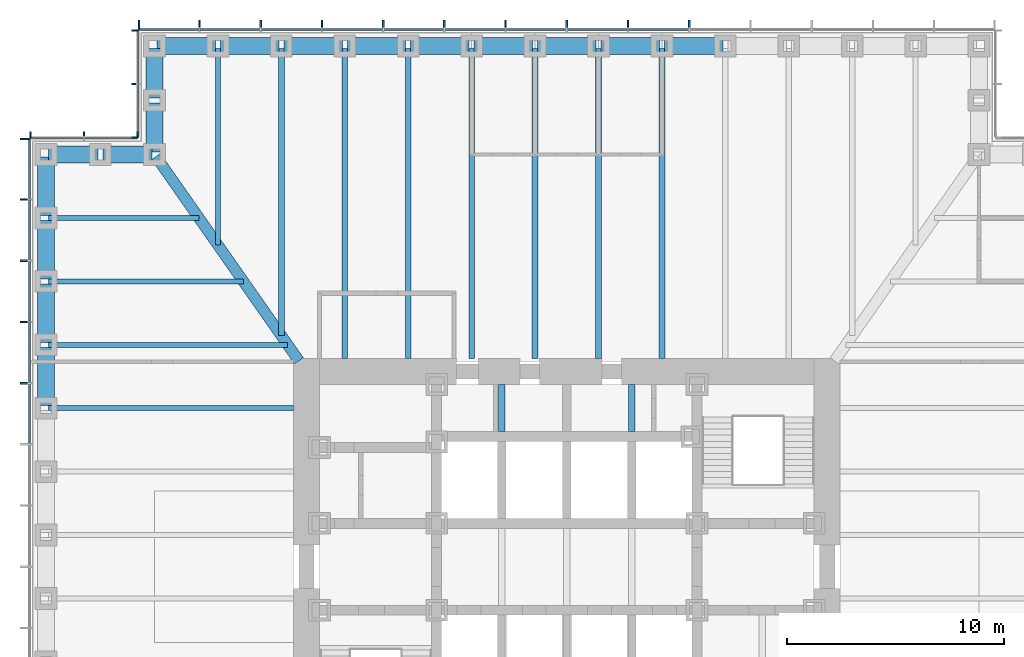
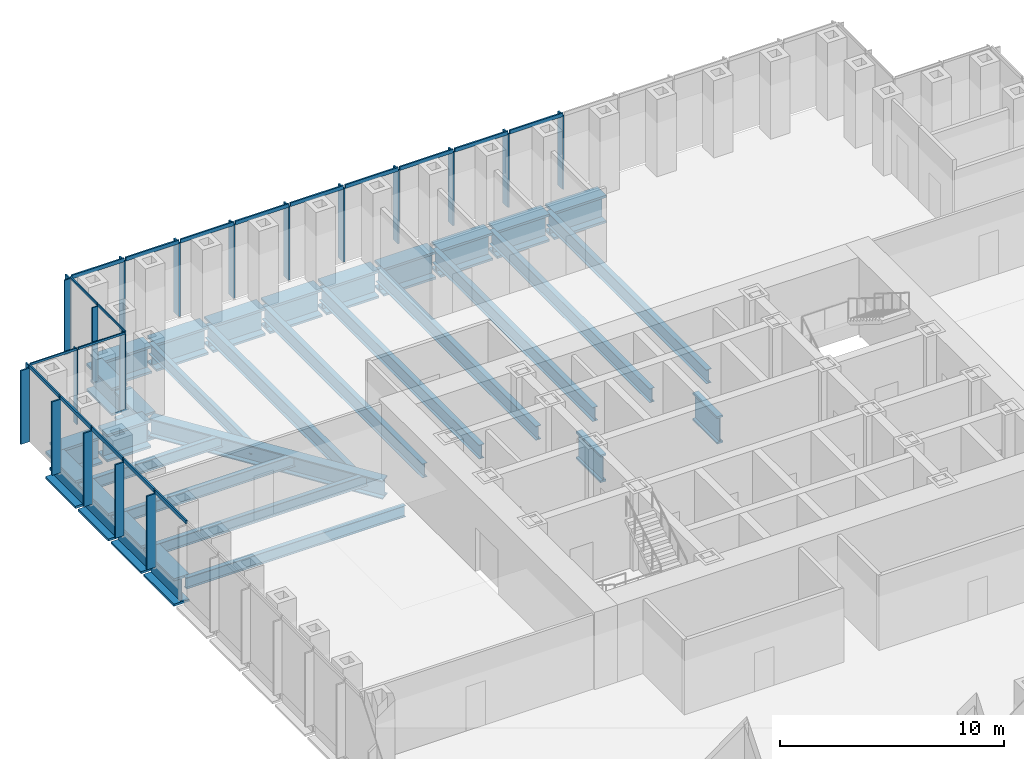
# One storey, part 5 of 16: 39 members, 32 beams, 4 elements without a shape of their own.
"""IFC4 building model written with IfcOpenShell, lengths in metres."""

from ifc_helpers import new_model, si_unit, direction, frame, origin, origin_2d, place, context, subcontext, project, spatial, rectangle, i_section, extrude, material, material_profile, profile_set, type_object, element, aggregate, save


model = new_model("IFC4")

# Units and contexts
model_context = context("Model", 3, precision=1e-05, world=origin(), true_north=direction((0.0, 1.0)))
body_context = subcontext(model_context, "Body", "Model", "MODEL_VIEW")
ifc_project = project(units=[si_unit("LENGTHUNIT", "METRE"), si_unit("AREAUNIT", "SQUARE_METRE"), si_unit("VOLUMEUNIT", "CUBIC_METRE"), si_unit("PLANEANGLEUNIT", "RADIAN"), si_unit("MASSUNIT", "GRAM", prefix="KILO")], contexts=[model_context])

# Site, building, storey
site_placement = place(None, origin())
site = spatial("IfcSite", under=ifc_project, at=site_placement, CompositionType="ELEMENT")
building_placement = place(site_placement, origin())
building = spatial("IfcBuilding", under=site, at=building_placement, Name="Daluyong Arena Tower", CompositionType="ELEMENT")
storey_placement = place(building_placement, frame((0.0, 0.0, 47.5)))
storey = spatial("IfcBuildingStorey", under=building, at=storey_placement, Name="L09", CompositionType="ELEMENT", Elevation=47.5)

# Curtain wall, members
ifc_material_1 = material(Name="Bronze anodised aluminium and glass", Category="aluminium")
curtain_wall_type_1 = type_object("IfcCurtainWallType", Name="Curtain wall CW1", PredefinedType="USERDEFINED", material=ifc_material_1)
curtain_wall_1_placement = place(storey_placement, origin())
curtain_wall_1 = element("IfcCurtainWall", 1, at=curtain_wall_1_placement, inside=storey, type_object=curtain_wall_type_1, Name="curtain wall L09 N", ObjectType="UNITISED CURTAIN WALL", PredefinedType="USERDEFINED")
ifc_material_2 = material(Name="Bronze anodised aluminium fin", Category="aluminium")
ifc_material_profile_1 = material_profile(ifc_material_2, rectangle(XDim=0.449951171875, YDim=0.080078125, at=origin_2d()))
ifc_profile_set_1 = profile_set([ifc_material_profile_1], Name="Bronze anodised aluminium fin")
member_type_1 = type_object("IfcMemberType", Name="CW1 bronze fin 450x80", PredefinedType="MULLION", material=ifc_profile_set_1)
member_1_placement = place(storey_placement, frame((61.642822265625, 104.97509765625, 0.0), z_axis=(0.0, 0.0, 1.0), x_axis=(0.0, -1.0, 0.0)))
member_1 = element("IfcMember", 2, at=member_1_placement, type_object=member_type_1, Name="curtain wall L09 N fin 6", PredefinedType="MULLION", context=body_context, shape_type="SweptSolid", body=[
    extrude(rectangle(XDim=0.449951171875, YDim=0.080078125, at=origin_2d()), origin(), (0.0, 0.0, 1.0), 4.0),
])
member_2_placement = place(storey_placement, frame((58.821533203125, 104.97509765625, 0.0), z_axis=(0.0, 0.0, 1.0), x_axis=(0.0, -1.0, 0.0)))
member_2 = element("IfcMember", 3, at=member_2_placement, type_object=member_type_1, Name="curtain wall L09 N fin 7", PredefinedType="MULLION", context=body_context, shape_type="SweptSolid", body=[
    extrude(rectangle(XDim=0.449951171875, YDim=0.080078125, at=origin_2d()), origin(), (0.0, 0.0, 1.0), 4.0),
])
member_3_placement = place(storey_placement, frame((56.0, 104.97509765625, 0.0), z_axis=(0.0, 0.0, 1.0), x_axis=(0.0, -1.0, 0.0)))
member_3 = element("IfcMember", 4, at=member_3_placement, type_object=member_type_1, Name="curtain wall L09 N fin 8", PredefinedType="MULLION", context=body_context, shape_type="SweptSolid", body=[
    extrude(rectangle(XDim=0.449951171875, YDim=0.080078125, at=origin_2d()), origin(), (0.0, 0.0, 1.0), 4.0),
])
member_4_placement = place(storey_placement, frame((53.178466796875, 104.97509765625, 0.0), z_axis=(0.0, 0.0, 1.0), x_axis=(0.0, -1.0, 0.0)))
member_4 = element("IfcMember", 5, at=member_4_placement, type_object=member_type_1, Name="curtain wall L09 N fin 9", PredefinedType="MULLION", context=body_context, shape_type="SweptSolid", body=[
    extrude(rectangle(XDim=0.449951171875, YDim=0.080078125, at=origin_2d()), origin(), (0.0, 0.0, 1.0), 4.0),
])
member_5_placement = place(storey_placement, frame((50.357177734375, 104.97509765625, 0.0), z_axis=(0.0, 0.0, 1.0), x_axis=(0.0, -1.0, 0.0)))
member_5 = element("IfcMember", 6, at=member_5_placement, type_object=member_type_1, Name="curtain wall L09 N fin 10", PredefinedType="MULLION", context=body_context, shape_type="SweptSolid", body=[
    extrude(rectangle(XDim=0.449951171875, YDim=0.080078125, at=origin_2d()), origin(), (0.0, 0.0, 1.0), 4.0),
])
member_6_placement = place(storey_placement, frame((47.53564453125, 104.97509765625, 0.0), z_axis=(0.0, 0.0, 1.0), x_axis=(0.0, -1.0, 0.0)))
member_6 = element("IfcMember", 7, at=member_6_placement, type_object=member_type_1, Name="curtain wall L09 N fin 11", PredefinedType="MULLION", context=body_context, shape_type="SweptSolid", body=[
    extrude(rectangle(XDim=0.449951171875, YDim=0.080078125, at=origin_2d()), origin(), (0.0, 0.0, 1.0), 4.0),
])
member_7_placement = place(storey_placement, frame((44.71435546875, 104.97509765625, 0.0), z_axis=(0.0, 0.0, 1.0), x_axis=(0.0, -1.0, 0.0)))
member_7 = element("IfcMember", 8, at=member_7_placement, type_object=member_type_1, Name="curtain wall L09 N fin 12", PredefinedType="MULLION", context=body_context, shape_type="SweptSolid", body=[
    extrude(rectangle(XDim=0.449951171875, YDim=0.080078125, at=origin_2d()), origin(), (0.0, 0.0, 1.0), 4.0),
])
member_8_placement = place(storey_placement, frame((41.892822265625, 104.97509765625, 0.0), z_axis=(0.0, 0.0, 1.0), x_axis=(0.0, -1.0, 0.0)))
member_8 = element("IfcMember", 9, at=member_8_placement, type_object=member_type_1, Name="curtain wall L09 N fin 13", PredefinedType="MULLION", context=body_context, shape_type="SweptSolid", body=[
    extrude(rectangle(XDim=0.449951171875, YDim=0.080078125, at=origin_2d()), origin(), (0.0, 0.0, 1.0), 4.0),
])
member_9_placement = place(storey_placement, frame((39.071533203125, 104.97509765625, 0.0), z_axis=(0.0, 0.0, 1.0), x_axis=(0.0, -1.0, 0.0)))
member_9 = element("IfcMember", 10, at=member_9_placement, type_object=member_type_1, Name="curtain wall L09 N fin 14", PredefinedType="MULLION", context=body_context, shape_type="SweptSolid", body=[
    extrude(rectangle(XDim=0.449951171875, YDim=0.080078125, at=origin_2d()), origin(), (0.0, 0.0, 1.0), 4.0),
])
member_10_placement = place(storey_placement, frame((36.2900390625, 104.97509765625, 0.0), z_axis=(0.0, 0.0, 1.0), x_axis=(0.0, -1.0, 0.0)))
member_10 = element("IfcMember", 11, at=member_10_placement, type_object=member_type_1, Name="curtain wall L09 N fin 15", PredefinedType="MULLION", context=body_context, shape_type="SweptSolid", body=[
    extrude(rectangle(XDim=0.449951171875, YDim=0.080078125, at=origin_2d()), origin(), (0.0, 0.0, 1.0), 4.0),
])

curtain_wall_2_placement = place(storey_placement, origin())
curtain_wall_2 = element("IfcCurtainWall", 12, at=curtain_wall_2_placement, inside=storey, type_object=curtain_wall_type_1, Name="curtain wall L09 W", ObjectType="UNITISED CURTAIN WALL", PredefinedType="USERDEFINED")
member_11_placement = place(storey_placement, frame((31.02490234375, 99.7099609375, 0.0), z_axis=(0.0, 0.0, 1.0), x_axis=(1.0, 0.0, 0.0)))
member_11 = element("IfcMember", 13, at=member_11_placement, type_object=member_type_1, Name="curtain wall L09 W fin 1", PredefinedType="MULLION", context=body_context, shape_type="SweptSolid", body=[
    extrude(rectangle(XDim=0.449951171875, YDim=0.080078125, at=origin_2d()), origin(), (0.0, 0.0, 1.0), 4.0),
])
member_12_placement = place(storey_placement, frame((31.02490234375, 96.928466796875, 0.0), z_axis=(0.0, 0.0, 1.0), x_axis=(1.0, 0.0, 0.0)))
member_12 = element("IfcMember", 14, at=member_12_placement, type_object=member_type_1, Name="curtain wall L09 W fin 2", PredefinedType="MULLION", context=body_context, shape_type="SweptSolid", body=[
    extrude(rectangle(XDim=0.449951171875, YDim=0.080078125, at=origin_2d()), origin(), (0.0, 0.0, 1.0), 4.0),
])
member_13_placement = place(storey_placement, frame((31.02490234375, 94.107177734375, 0.0), z_axis=(0.0, 0.0, 1.0), x_axis=(1.0, 0.0, 0.0)))
member_13 = element("IfcMember", 15, at=member_13_placement, type_object=member_type_1, Name="curtain wall L09 W fin 3", PredefinedType="MULLION", context=body_context, shape_type="SweptSolid", body=[
    extrude(rectangle(XDim=0.449951171875, YDim=0.080078125, at=origin_2d()), origin(), (0.0, 0.0, 1.0), 4.0),
])
member_14_placement = place(storey_placement, frame((31.02490234375, 91.28564453125, 0.0), z_axis=(0.0, 0.0, 1.0), x_axis=(1.0, 0.0, 0.0)))
member_14 = element("IfcMember", 16, at=member_14_placement, type_object=member_type_1, Name="curtain wall L09 W fin 4", PredefinedType="MULLION", context=body_context, shape_type="SweptSolid", body=[
    extrude(rectangle(XDim=0.449951171875, YDim=0.080078125, at=origin_2d()), origin(), (0.0, 0.0, 1.0), 4.0),
])
member_15_placement = place(storey_placement, frame((31.02490234375, 88.46435546875, 0.0), z_axis=(0.0, 0.0, 1.0), x_axis=(1.0, 0.0, 0.0)))
member_15 = element("IfcMember", 17, at=member_15_placement, type_object=member_type_1, Name="curtain wall L09 W fin 5", PredefinedType="MULLION", context=body_context, shape_type="SweptSolid", body=[
    extrude(rectangle(XDim=0.449951171875, YDim=0.080078125, at=origin_2d()), origin(), (0.0, 0.0, 1.0), 4.0),
])

# Member
ifc_material_3 = material(Name="Bronze anodised aluminium", Category="aluminium")
ifc_material_profile_2 = material_profile(ifc_material_3, rectangle(XDim=0.080078125, YDim=0.199951171875, at=origin_2d()))
ifc_profile_set_2 = profile_set([ifc_material_profile_2], Name="Bronze anodised aluminium")
member_type_2 = type_object("IfcMemberType", Name="CW1 stack transom 200x80", PredefinedType="USERDEFINED", material=ifc_profile_set_2)
member_16_placement = place(storey_placement, frame((61.602783203125, 104.75, 4.10009765625), z_axis=(-1.0, 0.0, 0.0), x_axis=(0.0, -1.0, 0.0)))
member_16 = element("IfcMember", 18, at=member_16_placement, type_object=member_type_2, Name="curtain wall L09 N transom 6", ObjectType="TRANSOM", PredefinedType="USERDEFINED", context=body_context, shape_type="SweptSolid", body=[
    extrude(rectangle(XDim=0.080078125, YDim=0.199951171875, at=origin_2d()), origin(), (0.0, 0.0, 1.0), 2.741455078125),
])

member_17_placement = place(storey_placement, frame((58.781494140625, 104.75, 4.10009765625), z_axis=(-1.0, 0.0, 0.0), x_axis=(0.0, -1.0, 0.0)))
member_17 = element("IfcMember", 19, at=member_17_placement, type_object=member_type_2, Name="curtain wall L09 N transom 7", ObjectType="TRANSOM", PredefinedType="USERDEFINED", context=body_context, shape_type="SweptSolid", body=[
    extrude(rectangle(XDim=0.080078125, YDim=0.199951171875, at=origin_2d()), origin(), (0.0, 0.0, 1.0), 2.741455078125),
])

member_18_placement = place(storey_placement, frame((55.9599609375, 104.75, 4.10009765625), z_axis=(-1.0, 0.0, 0.0), x_axis=(0.0, -1.0, 0.0)))
member_18 = element("IfcMember", 20, at=member_18_placement, type_object=member_type_2, Name="curtain wall L09 N transom 8", ObjectType="TRANSOM", PredefinedType="USERDEFINED", context=body_context, shape_type="SweptSolid", body=[
    extrude(rectangle(XDim=0.080078125, YDim=0.199951171875, at=origin_2d()), origin(), (0.0, 0.0, 1.0), 2.741455078125),
])

member_19_placement = place(storey_placement, frame((53.138671875, 104.75, 4.10009765625), z_axis=(-1.0, 0.0, 0.0), x_axis=(0.0, -1.0, 0.0)))
member_19 = element("IfcMember", 21, at=member_19_placement, type_object=member_type_2, Name="curtain wall L09 N transom 9", ObjectType="TRANSOM", PredefinedType="USERDEFINED", context=body_context, shape_type="SweptSolid", body=[
    extrude(rectangle(XDim=0.080078125, YDim=0.199951171875, at=origin_2d()), origin(), (0.0, 0.0, 1.0), 2.741455078125),
])

member_20_placement = place(storey_placement, frame((50.317138671875, 104.75, 4.10009765625), z_axis=(-1.0, 0.0, 0.0), x_axis=(0.0, -1.0, 0.0)))
member_20 = element("IfcMember", 22, at=member_20_placement, type_object=member_type_2, Name="curtain wall L09 N transom 10", ObjectType="TRANSOM", PredefinedType="USERDEFINED", context=body_context, shape_type="SweptSolid", body=[
    extrude(rectangle(XDim=0.080078125, YDim=0.199951171875, at=origin_2d()), origin(), (0.0, 0.0, 1.0), 2.741455078125),
])

member_21_placement = place(storey_placement, frame((47.49560546875, 104.75, 4.10009765625), z_axis=(-1.0, 0.0, 0.0), x_axis=(0.0, -1.0, 0.0)))
member_21 = element("IfcMember", 23, at=member_21_placement, type_object=member_type_2, Name="curtain wall L09 N transom 11", ObjectType="TRANSOM", PredefinedType="USERDEFINED", context=body_context, shape_type="SweptSolid", body=[
    extrude(rectangle(XDim=0.080078125, YDim=0.199951171875, at=origin_2d()), origin(), (0.0, 0.0, 1.0), 2.7412109375),
])

member_22_placement = place(storey_placement, frame((44.67431640625, 104.75, 4.10009765625), z_axis=(-1.0, 0.0, 0.0), x_axis=(0.0, -1.0, 0.0)))
member_22 = element("IfcMember", 24, at=member_22_placement, type_object=member_type_2, Name="curtain wall L09 N transom 12", ObjectType="TRANSOM", PredefinedType="USERDEFINED", context=body_context, shape_type="SweptSolid", body=[
    extrude(rectangle(XDim=0.080078125, YDim=0.199951171875, at=origin_2d()), origin(), (0.0, 0.0, 1.0), 2.741455078125),
])

member_23_placement = place(storey_placement, frame((41.852783203125, 104.75, 4.10009765625), z_axis=(-1.0, 0.0, 0.0), x_axis=(0.0, -1.0, 0.0)))
member_23 = element("IfcMember", 25, at=member_23_placement, type_object=member_type_2, Name="curtain wall L09 N transom 13", ObjectType="TRANSOM", PredefinedType="USERDEFINED", context=body_context, shape_type="SweptSolid", body=[
    extrude(rectangle(XDim=0.080078125, YDim=0.199951171875, at=origin_2d()), origin(), (0.0, 0.0, 1.0), 2.741455078125),
])

member_24_placement = place(storey_placement, frame((39.031494140625, 104.75, 4.10009765625), z_axis=(-1.0, 0.0, 0.0), x_axis=(0.0, -1.0, 0.0)))
member_24 = element("IfcMember", 26, at=member_24_placement, type_object=member_type_2, Name="curtain wall L09 N transom 14", ObjectType="TRANSOM", PredefinedType="USERDEFINED", context=body_context, shape_type="SweptSolid", body=[
    extrude(rectangle(XDim=0.080078125, YDim=0.199951171875, at=origin_2d()), origin(), (0.0, 0.0, 1.0), 2.701416015625),
])

aggregate(curtain_wall_1, [member_1, member_2, member_3, member_4, member_5, member_6, member_7, member_8, member_9, member_10, member_16, member_17, member_18, member_19, member_20, member_21, member_22, member_23, member_24])

member_25_placement = place(storey_placement, frame((31.25, 99.669921875, 4.10009765625), z_axis=(0.0, -1.0, 0.0), x_axis=(1.0, 0.0, 0.0)))
member_25 = element("IfcMember", 27, at=member_25_placement, type_object=member_type_2, Name="curtain wall L09 W transom 1", ObjectType="TRANSOM", PredefinedType="USERDEFINED", context=body_context, shape_type="SweptSolid", body=[
    extrude(rectangle(XDim=0.080078125, YDim=0.199951171875, at=origin_2d()), origin(), (0.0, 0.0, 1.0), 2.701416015625),
])

member_26_placement = place(storey_placement, frame((31.25, 96.888671875, 4.10009765625), z_axis=(0.0, -1.0, 0.0), x_axis=(1.0, 0.0, 0.0)))
member_26 = element("IfcMember", 28, at=member_26_placement, type_object=member_type_2, Name="curtain wall L09 W transom 2", ObjectType="TRANSOM", PredefinedType="USERDEFINED", context=body_context, shape_type="SweptSolid", body=[
    extrude(rectangle(XDim=0.080078125, YDim=0.199951171875, at=origin_2d()), origin(), (0.0, 0.0, 1.0), 2.741455078125),
])

member_27_placement = place(storey_placement, frame((31.25, 94.067138671875, 4.10009765625), z_axis=(0.0, -1.0, 0.0), x_axis=(1.0, 0.0, 0.0)))
member_27 = element("IfcMember", 29, at=member_27_placement, type_object=member_type_2, Name="curtain wall L09 W transom 3", ObjectType="TRANSOM", PredefinedType="USERDEFINED", context=body_context, shape_type="SweptSolid", body=[
    extrude(rectangle(XDim=0.080078125, YDim=0.199951171875, at=origin_2d()), origin(), (0.0, 0.0, 1.0), 2.741455078125),
])

member_28_placement = place(storey_placement, frame((31.25, 91.24560546875, 4.10009765625), z_axis=(0.0, -1.0, 0.0), x_axis=(1.0, 0.0, 0.0)))
member_28 = element("IfcMember", 30, at=member_28_placement, type_object=member_type_2, Name="curtain wall L09 W transom 4", ObjectType="TRANSOM", PredefinedType="USERDEFINED", context=body_context, shape_type="SweptSolid", body=[
    extrude(rectangle(XDim=0.080078125, YDim=0.199951171875, at=origin_2d()), origin(), (0.0, 0.0, 1.0), 2.7412109375),
])

member_29_placement = place(storey_placement, frame((31.25, 88.42431640625, 4.10009765625), z_axis=(0.0, -1.0, 0.0), x_axis=(1.0, 0.0, 0.0)))
member_29 = element("IfcMember", 31, at=member_29_placement, type_object=member_type_2, Name="curtain wall L09 W transom 5", ObjectType="TRANSOM", PredefinedType="USERDEFINED", context=body_context, shape_type="SweptSolid", body=[
    extrude(rectangle(XDim=0.080078125, YDim=0.199951171875, at=origin_2d()), origin(), (0.0, 0.0, 1.0), 2.741455078125),
])

aggregate(curtain_wall_2, [member_11, member_12, member_13, member_14, member_15, member_25, member_26, member_27, member_28, member_29])

# Curtain wall, members
ifc_material_4 = material(Name="Bronze anodised aluminium and glass", Category="aluminium")
curtain_wall_type_2 = type_object("IfcCurtainWallType", Name="Curtain wall CW7", PredefinedType="USERDEFINED", material=ifc_material_4)
curtain_wall_3_placement = place(storey_placement, origin())
curtain_wall_3 = element("IfcCurtainWall", 32, at=curtain_wall_3_placement, inside=storey, type_object=curtain_wall_type_2, Name="curtain wall L09 NW-W", ObjectType="UNITISED CURTAIN WALL", PredefinedType="USERDEFINED")
ifc_material_5 = material(Name="Bronze anodised aluminium fin", Category="aluminium")
ifc_material_profile_3 = material_profile(ifc_material_5, rectangle(XDim=0.300048828125, YDim=0.06005859375, at=origin_2d()))
ifc_profile_set_3 = profile_set([ifc_material_profile_3], Name="Bronze anodised aluminium fin")
member_type_3 = type_object("IfcMemberType", Name="CW7 bronze fin 300x60", PredefinedType="MULLION", material=ifc_profile_set_3)
member_30_placement = place(storey_placement, frame((36.10009765625, 104.719970703125, 0.0), z_axis=(0.0, 0.0, 1.0), x_axis=(1.0, 0.0, 0.0)))
member_30 = element("IfcMember", 33, at=member_30_placement, type_object=member_type_3, Name="curtain wall L09 NW-W fin 1", PredefinedType="MULLION", context=body_context, shape_type="SweptSolid", body=[
    extrude(rectangle(XDim=0.300048828125, YDim=0.06005859375, at=origin_2d()), origin(), (0.0, 0.0, 1.0), 4.080078125),
])
member_31_placement = place(storey_placement, frame((36.10009765625, 102.25, 0.0), z_axis=(0.0, 0.0, 1.0), x_axis=(1.0, 0.0, 0.0)))
member_31 = element("IfcMember", 34, at=member_31_placement, type_object=member_type_3, Name="curtain wall L09 NW-W fin 2", PredefinedType="MULLION", context=body_context, shape_type="SweptSolid", body=[
    extrude(rectangle(XDim=0.300048828125, YDim=0.06005859375, at=origin_2d()), origin(), (0.0, 0.0, 1.0), 4.080078125),
])
member_32_placement = place(storey_placement, frame((36.10009765625, 99.780029296875, 0.0), z_axis=(0.0, 0.0, 1.0), x_axis=(1.0, 0.0, 0.0)))
member_32 = element("IfcMember", 35, at=member_32_placement, type_object=member_type_3, Name="curtain wall L09 NW-W fin 3", PredefinedType="MULLION", context=body_context, shape_type="SweptSolid", body=[
    extrude(rectangle(XDim=0.300048828125, YDim=0.06005859375, at=origin_2d()), origin(), (0.0, 0.0, 1.0), 4.080078125),
])

curtain_wall_4_placement = place(storey_placement, origin())
curtain_wall_4 = element("IfcCurtainWall", 36, at=curtain_wall_4_placement, inside=storey, type_object=curtain_wall_type_2, Name="curtain wall L09 NW-N", ObjectType="UNITISED CURTAIN WALL", PredefinedType="USERDEFINED")
member_33_placement = place(storey_placement, frame((36.219970703125, 99.89990234375, 0.0), z_axis=(0.0, 0.0, 1.0), x_axis=(0.0, -1.0, 0.0)))
member_33 = element("IfcMember", 37, at=member_33_placement, type_object=member_type_3, Name="curtain wall L09 NW-N fin 1", PredefinedType="MULLION", context=body_context, shape_type="SweptSolid", body=[
    extrude(rectangle(XDim=0.300048828125, YDim=0.06005859375, at=origin_2d()), origin(), (0.0, 0.0, 1.0), 4.080078125),
])
member_34_placement = place(storey_placement, frame((33.75, 99.89990234375, 0.0), z_axis=(0.0, 0.0, 1.0), x_axis=(0.0, -1.0, 0.0)))
member_34 = element("IfcMember", 38, at=member_34_placement, type_object=member_type_3, Name="curtain wall L09 NW-N fin 2", PredefinedType="MULLION", context=body_context, shape_type="SweptSolid", body=[
    extrude(rectangle(XDim=0.300048828125, YDim=0.06005859375, at=origin_2d()), origin(), (0.0, 0.0, 1.0), 4.080078125),
])
member_35_placement = place(storey_placement, frame((31.280029296875, 99.89990234375, 0.0), z_axis=(0.0, 0.0, 1.0), x_axis=(0.0, -1.0, 0.0)))
member_35 = element("IfcMember", 39, at=member_35_placement, type_object=member_type_3, Name="curtain wall L09 NW-N fin 3", PredefinedType="MULLION", context=body_context, shape_type="SweptSolid", body=[
    extrude(rectangle(XDim=0.300048828125, YDim=0.06005859375, at=origin_2d()), origin(), (0.0, 0.0, 1.0), 4.080078125),
])

# Member
ifc_material_6 = material(Name="Bronze anodised aluminium", Category="aluminium")
ifc_material_profile_4 = material_profile(ifc_material_6, rectangle(XDim=0.06005859375, YDim=0.1201171875, at=origin_2d()))
ifc_profile_set_4 = profile_set([ifc_material_profile_4], Name="Bronze anodised aluminium")
member_type_4 = type_object("IfcMemberType", Name="CW7 stack transom 120x60", PredefinedType="USERDEFINED", material=ifc_profile_set_4)
member_36_placement = place(storey_placement, frame((36.25, 104.68994140625, 4.139892578125), z_axis=(0.0, -1.0, 0.0), x_axis=(1.0, 0.0, 0.0)))
member_36 = element("IfcMember", 40, at=member_36_placement, type_object=member_type_4, Name="curtain wall L09 NW-W transom 1", ObjectType="TRANSOM", PredefinedType="USERDEFINED", context=body_context, shape_type="SweptSolid", body=[
    extrude(rectangle(XDim=0.06005859375, YDim=0.1201171875, at=origin_2d()), origin(), (0.0, 0.0, 1.0), 2.409912109375),
])

member_37_placement = place(storey_placement, frame((36.25, 102.219970703125, 4.139892578125), z_axis=(0.0, -1.0, 0.0), x_axis=(1.0, 0.0, 0.0)))
member_37 = element("IfcMember", 41, at=member_37_placement, type_object=member_type_4, Name="curtain wall L09 NW-W transom 2", ObjectType="TRANSOM", PredefinedType="USERDEFINED", context=body_context, shape_type="SweptSolid", body=[
    extrude(rectangle(XDim=0.06005859375, YDim=0.1201171875, at=origin_2d()), origin(), (0.0, 0.0, 1.0), 2.409912109375),
])

aggregate(curtain_wall_3, [member_30, member_31, member_32, member_36, member_37])

member_38_placement = place(storey_placement, frame((36.18994140625, 99.75, 4.139892578125), z_axis=(-1.0, 0.0, 0.0), x_axis=(0.0, -1.0, 0.0)))
member_38 = element("IfcMember", 42, at=member_38_placement, type_object=member_type_4, Name="curtain wall L09 NW-N transom 1", ObjectType="TRANSOM", PredefinedType="USERDEFINED", context=body_context, shape_type="SweptSolid", body=[
    extrude(rectangle(XDim=0.06005859375, YDim=0.1201171875, at=origin_2d()), origin(), (0.0, 0.0, 1.0), 2.409912109375),
])

member_39_placement = place(storey_placement, frame((33.719970703125, 99.75, 4.139892578125), z_axis=(-1.0, 0.0, 0.0), x_axis=(0.0, -1.0, 0.0)))
member_39 = element("IfcMember", 43, at=member_39_placement, type_object=member_type_4, Name="curtain wall L09 NW-N transom 2", ObjectType="TRANSOM", PredefinedType="USERDEFINED", context=body_context, shape_type="SweptSolid", body=[
    extrude(rectangle(XDim=0.06005859375, YDim=0.1201171875, at=origin_2d()), origin(), (0.0, 0.0, 1.0), 2.409912109375),
])

aggregate(curtain_wall_4, [member_33, member_34, member_35, member_38, member_39])

# Beams
ifc_material_7 = material(Name="Steel ASTM A572 Grade 50", Category="steel")
ifc_material_profile_5 = material_profile(ifc_material_7, i_section(OverallWidth=0.5, OverallDepth=1.0, WebThickness=0.03, FlangeThickness=0.06, at=origin_2d()))
ifc_profile_set_5 = profile_set([ifc_material_profile_5], Name="Steel ASTM A572 Grade 50")
beam_type_1 = type_object("IfcBeamType", Name="Corner girder TB1000X500", PredefinedType="BEAM", material=ifc_profile_set_5)
beam_1_placement = place(storey_placement, frame((37.06591796875, 98.90576171875, -0.659912109375), z_axis=(0.573466621875, -0.819228926244, 0.0), x_axis=(0.819228926244, 0.573466621875, 0.0)))
element("IfcBeam", 44, at=beam_1_placement, inside=storey, type_object=beam_type_1, Name="corner girder DG2", PredefinedType="BEAM", context=body_context, shape_type="SweptSolid", body=[
    extrude(i_section(OverallWidth=0.5, OverallDepth=1.0, WebThickness=0.03, FlangeThickness=0.06, at=origin_2d()), origin(), (0.0, 0.0, 1.0), 11.49169921875),
])
ifc_material_8 = material(Name="Steel ASTM A992 Grade 50", Category="steel")
ifc_material_profile_6 = material_profile(ifc_material_8, i_section(OverallWidth=0.22900390625, OverallDepth=0.612060546875, WebThickness=0.011962890625, FlangeThickness=0.01953125, at=origin_2d()))
ifc_profile_set_6 = profile_set([ifc_material_profile_6], Name="Steel ASTM A992 Grade 50")
beam_type_2 = type_object("IfcBeamType", Name="Floor beam W24X84", PredefinedType="BEAM", material=ifc_profile_set_6)
beam_2_placement = place(storey_placement, frame((39.923095703125, 103.885009765625, -0.466064453125), z_axis=(0.0, -1.0, 0.0), x_axis=(1.0, 0.0, 0.0)))
element("IfcBeam", 45, at=beam_2_placement, inside=storey, type_object=beam_type_2, Name="floor beam FB3", PredefinedType="BEAM", context=body_context, shape_type="SweptSolid", body=[
    extrude(i_section(OverallWidth=0.22900390625, OverallDepth=0.612060546875, WebThickness=0.011962890625, FlangeThickness=0.01953125, at=origin_2d()), origin(), (0.0, 0.0, 1.0), 9.060791015625),
])
beam_3_placement = place(storey_placement, frame((32.114990234375, 96.076904296875, -0.466064453125), z_axis=(1.0, 0.0, 0.0), x_axis=(0.0, 1.0, 0.0)))
element("IfcBeam", 46, at=beam_3_placement, inside=storey, type_object=beam_type_2, Name="floor beam FB3", PredefinedType="BEAM", context=body_context, shape_type="SweptSolid", body=[
    extrude(i_section(OverallWidth=0.22900390625, OverallDepth=0.612060546875, WebThickness=0.011962890625, FlangeThickness=0.01953125, at=origin_2d()), origin(), (0.0, 0.0, 1.0), 6.93115234375),
])
beam_4_placement = place(storey_placement, frame((32.114990234375, 93.15380859375, -0.466064453125), z_axis=(1.0, 0.0, 0.0), x_axis=(0.0, 1.0, 0.0)))
element("IfcBeam", 47, at=beam_4_placement, inside=storey, type_object=beam_type_2, Name="floor beam FB3", PredefinedType="BEAM", context=body_context, shape_type="SweptSolid", body=[
    extrude(i_section(OverallWidth=0.22900390625, OverallDepth=0.612060546875, WebThickness=0.011962890625, FlangeThickness=0.01953125, at=origin_2d()), origin(), (0.0, 0.0, 1.0), 8.977294921875),
])
beam_5_placement = place(storey_placement, frame((32.114990234375, 90.230712890625, -0.466064453125), z_axis=(1.0, 0.0, 0.0), x_axis=(0.0, 1.0, 0.0)))
element("IfcBeam", 48, at=beam_5_placement, inside=storey, type_object=beam_type_2, Name="floor beam FB3", PredefinedType="BEAM", context=body_context, shape_type="SweptSolid", body=[
    extrude(i_section(OverallWidth=0.22900390625, OverallDepth=0.612060546875, WebThickness=0.011962890625, FlangeThickness=0.01953125, at=origin_2d()), origin(), (0.0, 0.0, 1.0), 11.0234375),
])
beam_6_placement = place(storey_placement, frame((32.114990234375, 87.3076171875, -0.466064453125), z_axis=(1.0, 0.0, 0.0), x_axis=(0.0, 1.0, 0.0)))
element("IfcBeam", 49, at=beam_6_placement, inside=storey, type_object=beam_type_2, Name="floor beam FB3", PredefinedType="BEAM", context=body_context, shape_type="SweptSolid", body=[
    extrude(i_section(OverallWidth=0.22900390625, OverallDepth=0.612060546875, WebThickness=0.011962890625, FlangeThickness=0.01953125, at=origin_2d()), origin(), (0.0, 0.0, 1.0), 11.284912109375),
])
ifc_material_9 = material(Name="Steel ASTM A992 Grade 50", Category="steel")
ifc_material_profile_7 = material_profile(ifc_material_9, i_section(OverallWidth=0.2666015625, OverallDepth=0.761962890625, WebThickness=0.014404296875, FlangeThickness=0.021484375, at=origin_2d()))
ifc_profile_set_7 = profile_set([ifc_material_profile_7], Name="Steel ASTM A992 Grade 50")
beam_type_3 = type_object("IfcBeamType", Name="Floor beam W30X116", PredefinedType="BEAM", material=ifc_profile_set_7)
for number, where, z_axis, x_axis, name in (
    (50, (60.384521484375, 103.885009765625, -0.541015625), (0.0, -1.0, 0.0), (1.0, 0.0, 0.0), "floor beam FB4"),
    (51, (57.46142578125, 103.885009765625, -0.541015625), (0.0, -1.0, 0.0), (1.0, 0.0, 0.0), "floor beam FB4"),
    (52, (54.53857421875, 103.885009765625, -0.541015625), (0.0, -1.0, 0.0), (1.0, 0.0, 0.0), "floor beam FB4"),
    (53, (51.615478515625, 103.885009765625, -0.541015625), (0.0, -1.0, 0.0), (1.0, 0.0, 0.0), "floor beam FB4"),
    (54, (48.6923828125, 103.885009765625, -0.541015625), (0.0, -1.0, 0.0), (1.0, 0.0, 0.0), "floor beam FB4"),
    (55, (45.769287109375, 103.885009765625, -0.541015625), (0.0, -1.0, 0.0), (1.0, 0.0, 0.0), "floor beam FB4"),
):
    element("IfcBeam", number, at=place(storey_placement, frame(where, z_axis=z_axis, x_axis=x_axis)), inside=storey, type_object=beam_type_3, Name=name, PredefinedType="BEAM", context=body_context, shape_type="SweptSolid", body=[
        extrude(i_section(OverallWidth=0.2666015625, OverallDepth=0.761962890625, WebThickness=0.014404296875, FlangeThickness=0.021484375, at=origin_2d()), origin(), (0.0, 0.0, 1.0), 14.284912109375),
    ])
beam_7_placement = place(storey_placement, frame((42.84619140625, 103.885009765625, -0.541015625), z_axis=(0.0, -1.0, 0.0), x_axis=(1.0, 0.0, 0.0)))
element("IfcBeam", 56, at=beam_7_placement, inside=storey, type_object=beam_type_3, Name="floor beam FB4", PredefinedType="BEAM", context=body_context, shape_type="SweptSolid", body=[
    extrude(i_section(OverallWidth=0.2666015625, OverallDepth=0.761962890625, WebThickness=0.014404296875, FlangeThickness=0.021484375, at=origin_2d()), origin(), (0.0, 0.0, 1.0), 13.236572265625),
])
ifc_material_10 = material(Name="Steel ASTM A572 Grade 50", Category="steel")
ifc_material_profile_8 = material_profile(ifc_material_10, i_section(OverallWidth=0.300048828125, OverallDepth=1.5, WebThickness=0.04, FlangeThickness=0.1, at=origin_2d()))
ifc_profile_set_8 = profile_set([ifc_material_profile_8], Name="Steel ASTM A572 Grade 50")
beam_type_4 = type_object("IfcBeamType", Name="Lift divider beam PG1500X300", PredefinedType="BEAM", material=ifc_profile_set_8)
for number, where, z_axis, x_axis, name in (
    (57, (53.0, 86.22509765625, -0.909912109375), (0.0, 1.0, 0.0), (-1.0, 0.0, 0.0), "lift divider beam DB2"),
    (58, (59.0, 86.22509765625, -0.909912109375), (0.0, 1.0, 0.0), (-1.0, 0.0, 0.0), "lift divider beam DB2"),
):
    element("IfcBeam", number, at=place(storey_placement, frame(where, z_axis=z_axis, x_axis=x_axis)), inside=storey, type_object=beam_type_4, Name=name, PredefinedType="BEAM", context=body_context, shape_type="SweptSolid", body=[
        extrude(i_section(OverallWidth=0.300048828125, OverallDepth=1.5, WebThickness=0.04, FlangeThickness=0.1, at=origin_2d()), origin(), (0.0, 0.0, 1.0), 2.1748046875),
    ])
ifc_material_11 = material(Name="Steel ASTM A588 Grade 50", Category="steel")
ifc_material_profile_9 = material_profile(ifc_material_11, i_section(OverallWidth=0.800048828125, OverallDepth=1.5, WebThickness=0.05, FlangeThickness=0.12, at=origin_2d()))
ifc_profile_set_9 = profile_set([ifc_material_profile_9], Name="Steel ASTM A588 Grade 50")
beam_type_5 = type_object("IfcBeamType", Name="Spandrel Z1 PG1500X800", PredefinedType="SPANDREL", material=ifc_profile_set_9)
for number, where, z_axis, x_axis, name in (
    (59, (63.192626953125, 104.0, -0.909912109375), (-1.0, 0.0, 0.0), (0.0, -1.0, 0.0), "spandrel z1 SB3"),
    (60, (60.26953125, 104.0, -0.909912109375), (-1.0, 0.0, 0.0), (0.0, -1.0, 0.0), "spandrel z1 SB3"),
):
    element("IfcBeam", number, at=place(storey_placement, frame(where, z_axis=z_axis, x_axis=x_axis)), inside=storey, type_object=beam_type_5, Name=name, PredefinedType="SPANDREL", context=body_context, shape_type="SweptSolid", body=[
        extrude(i_section(OverallWidth=0.800048828125, OverallDepth=1.5, WebThickness=0.05, FlangeThickness=0.12, at=origin_2d()), origin(), (0.0, 0.0, 1.0), 2.693115234375),
    ])
beam_8_placement = place(storey_placement, frame((57.346435546875, 104.0, -0.909912109375), z_axis=(-1.0, 0.0, 0.0), x_axis=(0.0, -1.0, 0.0)))
element("IfcBeam", 61, at=beam_8_placement, inside=storey, type_object=beam_type_5, Name="spandrel z1 SB3", PredefinedType="SPANDREL", context=body_context, shape_type="SweptSolid", body=[
    extrude(i_section(OverallWidth=0.800048828125, OverallDepth=1.5, WebThickness=0.05, FlangeThickness=0.12, at=origin_2d()), origin(), (0.0, 0.0, 1.0), 2.69287109375),
])
for number, where, z_axis, x_axis, name in (
    (62, (54.423583984375, 104.0, -0.909912109375), (-1.0, 0.0, 0.0), (0.0, -1.0, 0.0), "spandrel z1 SB3"),
    (63, (51.50048828125, 104.0, -0.909912109375), (-1.0, 0.0, 0.0), (0.0, -1.0, 0.0), "spandrel z1 SB3"),
    (64, (48.577392578125, 104.0, -0.909912109375), (-1.0, 0.0, 0.0), (0.0, -1.0, 0.0), "spandrel z1 SB3"),
    (65, (45.654296875, 104.0, -0.909912109375), (-1.0, 0.0, 0.0), (0.0, -1.0, 0.0), "spandrel z1 SB3"),
    (66, (42.731201171875, 104.0, -0.909912109375), (-1.0, 0.0, 0.0), (0.0, -1.0, 0.0), "spandrel z1 SB3"),
    (67, (39.80810546875, 104.0, -0.909912109375), (-1.0, 0.0, 0.0), (0.0, -1.0, 0.0), "spandrel z1 SB3"),
):
    element("IfcBeam", number, at=place(storey_placement, frame(where, z_axis=z_axis, x_axis=x_axis)), inside=storey, type_object=beam_type_5, Name=name, PredefinedType="SPANDREL", context=body_context, shape_type="SweptSolid", body=[
        extrude(i_section(OverallWidth=0.800048828125, OverallDepth=1.5, WebThickness=0.05, FlangeThickness=0.12, at=origin_2d()), origin(), (0.0, 0.0, 1.0), 2.693115234375),
    ])
for number, where, z_axis, x_axis, name in (
    (68, (37.0, 103.885009765625, -0.909912109375), (0.0, -1.0, 0.0), (1.0, 0.0, 0.0), "spandrel z1 SB3"),
    (69, (37.0, 101.385009765625, -0.909912109375), (0.0, -1.0, 0.0), (1.0, 0.0, 0.0), "spandrel z1 SB3"),
    (70, (36.885009765625, 99.0, -0.909912109375), (-1.0, 0.0, 0.0), (0.0, -1.0, 0.0), "spandrel z1 SB3"),
    (71, (34.385009765625, 99.0, -0.909912109375), (-1.0, 0.0, 0.0), (0.0, -1.0, 0.0), "spandrel z1 SB3"),
):
    element("IfcBeam", number, at=place(storey_placement, frame(where, z_axis=z_axis, x_axis=x_axis)), inside=storey, type_object=beam_type_5, Name=name, PredefinedType="SPANDREL", context=body_context, shape_type="SweptSolid", body=[
        extrude(i_section(OverallWidth=0.800048828125, OverallDepth=1.5, WebThickness=0.05, FlangeThickness=0.12, at=origin_2d()), origin(), (0.0, 0.0, 1.0), 2.27001953125),
    ])
for number, where, z_axis, x_axis, name in (
    (72, (32.0, 98.885009765625, -0.909912109375), (0.0, -1.0, 0.0), (1.0, 0.0, 0.0), "spandrel z1 SB3"),
    (73, (32.0, 95.9619140625, -0.909912109375), (0.0, -1.0, 0.0), (1.0, 0.0, 0.0), "spandrel z1 SB3"),
    (74, (32.0, 93.038818359375, -0.909912109375), (0.0, -1.0, 0.0), (1.0, 0.0, 0.0), "spandrel z1 SB3"),
    (75, (32.0, 90.11572265625, -0.909912109375), (0.0, -1.0, 0.0), (1.0, 0.0, 0.0), "spandrel z1 SB3"),
):
    element("IfcBeam", number, at=place(storey_placement, frame(where, z_axis=z_axis, x_axis=x_axis)), inside=storey, type_object=beam_type_5, Name=name, PredefinedType="SPANDREL", context=body_context, shape_type="SweptSolid", body=[
        extrude(i_section(OverallWidth=0.800048828125, OverallDepth=1.5, WebThickness=0.05, FlangeThickness=0.12, at=origin_2d()), origin(), (0.0, 0.0, 1.0), 2.693115234375),
    ])

save(model, "model.ifc")
